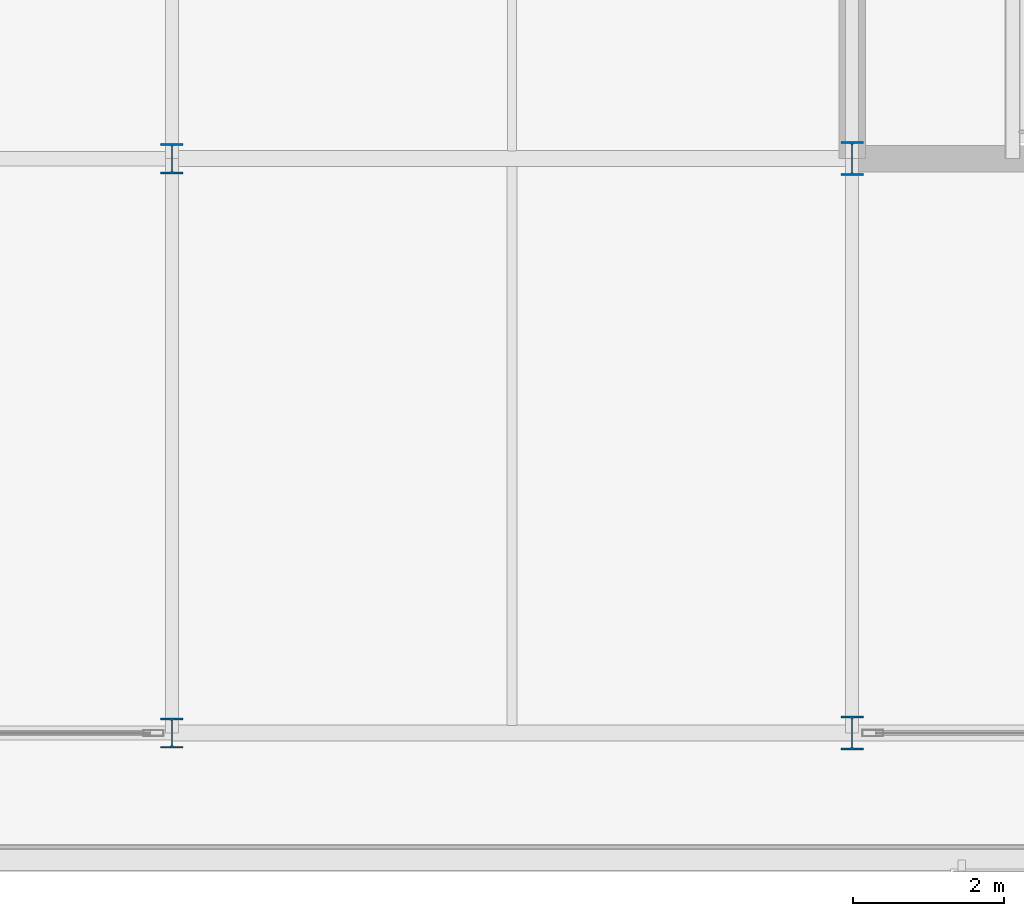
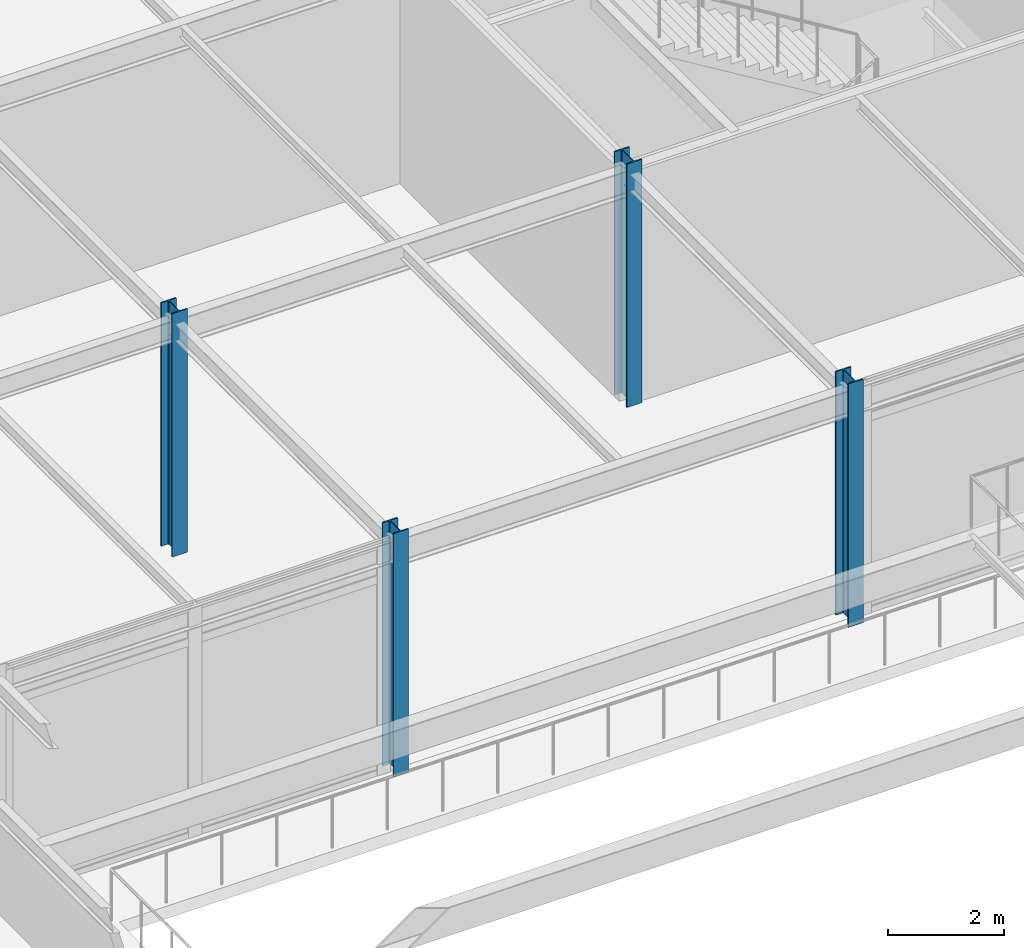
# One storey, part 8 of 113: 4 columns.
"""IFC4 building model written with IfcOpenShell, lengths in metres."""

from ifc_helpers import new_model, si_unit, direction, frame, origin, origin_2d, place, context, subcontext, project, spatial, i_section, extrude, material, material_profile, profile_set, type_object, element, save


model = new_model("IFC4")

# Units and contexts
model_context = context("Model", 3, precision=1e-05, world=origin(), true_north=direction((0.0, 1.0)))
body_context = subcontext(model_context, "Body", "Model", "MODEL_VIEW")
ifc_project = project(units=[si_unit("LENGTHUNIT", "METRE"), si_unit("AREAUNIT", "SQUARE_METRE"), si_unit("VOLUMEUNIT", "CUBIC_METRE"), si_unit("PLANEANGLEUNIT", "RADIAN"), si_unit("MASSUNIT", "GRAM", prefix="KILO")], contexts=[model_context])

# Site, building, storey
site_placement = place(None, origin())
site = spatial("IfcSite", under=ifc_project, at=site_placement, CompositionType="ELEMENT")
building_placement = place(site_placement, origin())
building = spatial("IfcBuilding", under=site, at=building_placement, Name="Shalkamar Park Central Library", CompositionType="ELEMENT")
storey_placement = place(building_placement, frame((0.0, 0.0, 5.39990234375)))
storey = spatial("IfcBuildingStorey", under=building, at=storey_placement, Name="L02", CompositionType="ELEMENT", Elevation=5.39990234375)

# Columns
ifc_material = material(Name="Steel S355", Category="steel")
ifc_material_profile_1 = material_profile(ifc_material, i_section(OverallWidth=0.300048828125, OverallDepth=0.39990234375, WebThickness=0.013427734375, FlangeThickness=0.02392578125, FilletRadius=0.027099609375, at=origin_2d()), Name="HEB 400")
ifc_profile_set_1 = profile_set([ifc_material_profile_1], Name="Steel S355")
column_type_1 = type_object("IfcColumnType", Name="Column Steel HEB400", PredefinedType="COLUMN", material=ifc_profile_set_1)
for number, where, z_axis, x_axis, name in (
    (1, (237.0, 293.199951171875, 0.0), (0.0, 0.0, 1.0), (1.0, 0.0, 0.0), "Column 16/H (L02)"),
    (2, (237.0, 300.800048828125, 0.0), (0.0, 0.0, 1.0), (1.0, 0.0, 0.0), "Column 16/J (L02)"),
):
    element("IfcColumn", number, at=place(storey_placement, frame(where, z_axis=z_axis, x_axis=x_axis)), inside=storey, type_object=column_type_1, Name=name, PredefinedType="COLUMN", context=body_context, shape_type="SweptSolid", body=[
        extrude(i_section(OverallWidth=0.300048828125, OverallDepth=0.39990234375, WebThickness=0.013427734375, FlangeThickness=0.02392578125, FilletRadius=0.027099609375, at=origin_2d()), origin(), (0.0, 0.0, 1.0), 5.10009765625),
    ])
ifc_material_profile_2 = material_profile(ifc_material, i_section(OverallWidth=0.300048828125, OverallDepth=0.449951171875, WebThickness=0.013916015625, FlangeThickness=0.02587890625, FilletRadius=0.027099609375, at=origin_2d()), Name="HEB 450")
ifc_profile_set_2 = profile_set([ifc_material_profile_2], Name="Steel S355")
column_type_2 = type_object("IfcColumnType", Name="Column Steel HEB450", PredefinedType="COLUMN", material=ifc_profile_set_2)
for number, where, z_axis, x_axis, name in (
    (3, (246.0, 293.199951171875, 0.0), (0.0, 0.0, 1.0), (1.0, 0.0, 0.0), "Column 17/H (L02)"),
    (4, (246.0, 300.800048828125, 0.0), (0.0, 0.0, 1.0), (1.0, 0.0, 0.0), "Column 17/J (L02)"),
):
    element("IfcColumn", number, at=place(storey_placement, frame(where, z_axis=z_axis, x_axis=x_axis)), inside=storey, type_object=column_type_2, Name=name, PredefinedType="COLUMN", context=body_context, shape_type="SweptSolid", body=[
        extrude(i_section(OverallWidth=0.300048828125, OverallDepth=0.449951171875, WebThickness=0.013916015625, FlangeThickness=0.02587890625, FilletRadius=0.027099609375, at=origin_2d()), origin(), (0.0, 0.0, 1.0), 5.10009765625),
    ])

save(model, "model.ifc")
